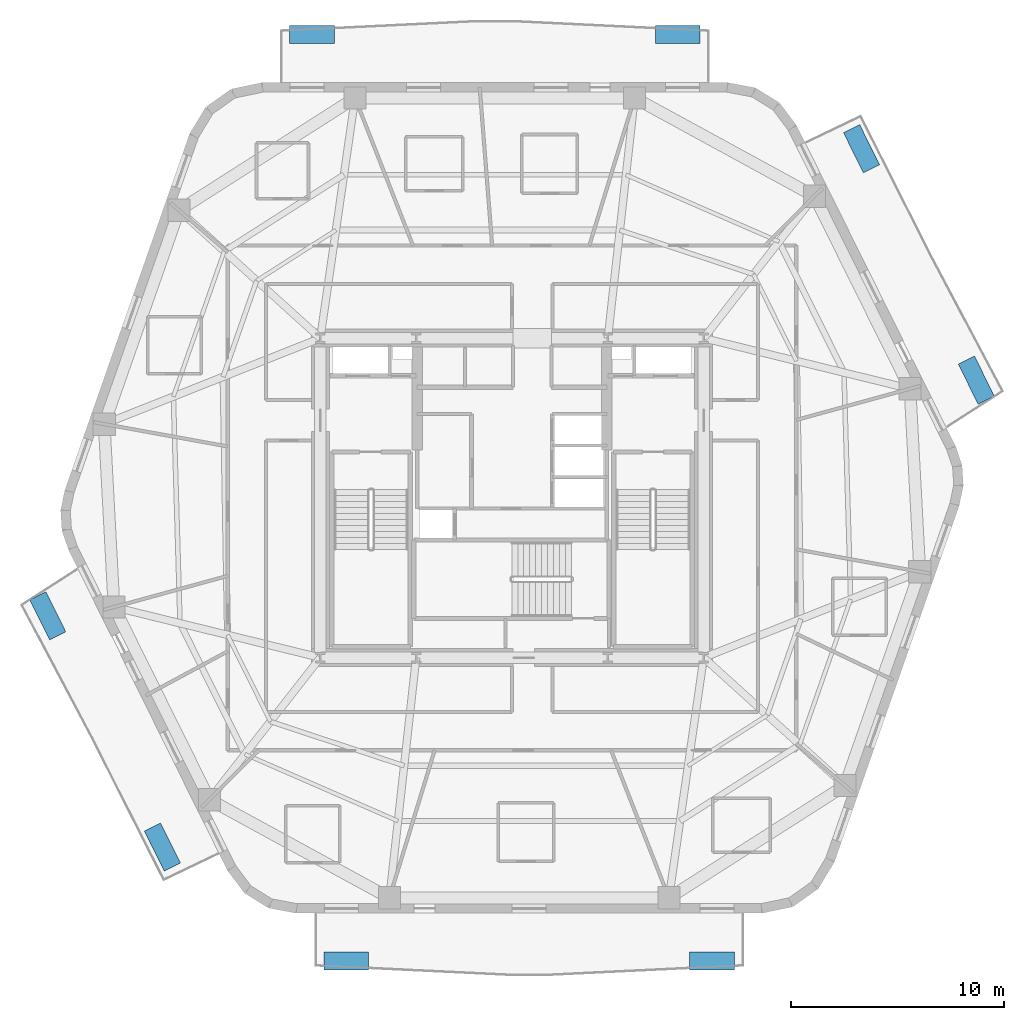
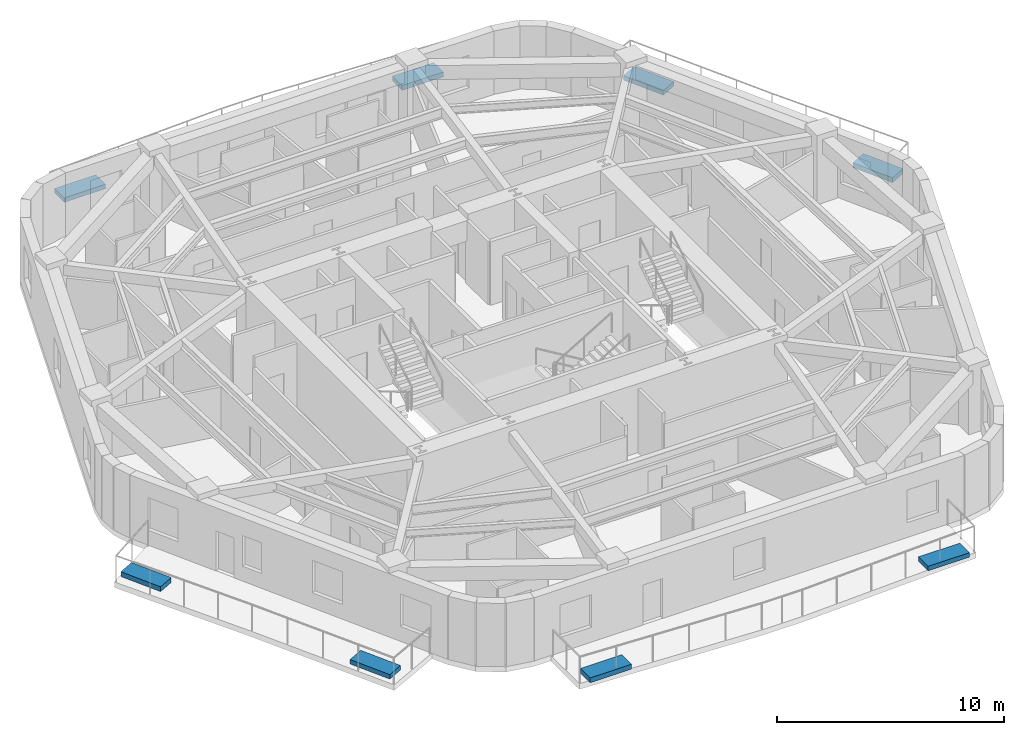
# One storey, part 7 of 10: 8 discrete accessories.
"""IFC4 building model written with IfcOpenShell, lengths in metres."""

from ifc_helpers import new_model, si_unit, direction, frame, origin, origin_2d, place, context, subcontext, project, spatial, rectangle, extrude, material, type_object, element, save


model = new_model("IFC4")

# Units and contexts
model_context = context("Model", 3, precision=1e-05, world=origin(), true_north=direction((0.0, 1.0)))
body_context = subcontext(model_context, "Body", "Model", "MODEL_VIEW")
ifc_project = project(units=[si_unit("LENGTHUNIT", "METRE"), si_unit("AREAUNIT", "SQUARE_METRE"), si_unit("VOLUMEUNIT", "CUBIC_METRE"), si_unit("PLANEANGLEUNIT", "RADIAN"), si_unit("MASSUNIT", "GRAM", prefix="KILO")], contexts=[model_context])

# Site, building, storey
site_placement = place(None, origin())
site = spatial("IfcSite", under=ifc_project, at=site_placement, CompositionType="ELEMENT")
building_placement = place(site_placement, origin())
building = spatial("IfcBuilding", under=site, at=building_placement, Name="Kilnhurst Terrace Hotel", CompositionType="ELEMENT")
storey_placement = place(building_placement, frame((0.0, 0.0, 148.0)))
storey = spatial("IfcBuildingStorey", under=building, at=storey_placement, Name="L36", CompositionType="ELEMENT", Elevation=148.0)

# Discrete accessories
ifc_material_1 = material(Name="Precast Concrete C40/50 Shrub Planter", Category="concrete")
discrete_accessory_type_1 = type_object("IfcDiscreteAccessoryType", Name="PLN-SHRUB-240", PredefinedType="USERDEFINED", material=ifc_material_1)
for number, where, z_axis, x_axis, name in (
    (1, (16.414306640625, 16.393310546875, 0.0), (0.0, 0.0, 1.0), (-0.444244308887, 0.895905683664, 0.0), "L36 Structural Tree Planter Box PLANTER BAL-L1A.2"),
    (2, (-9.3935546875, 21.75, 0.0), (0.0, 0.0, 1.0), (-1.0, 0.0, 0.0), "L36 Structural Tree Planter Box PLANTER BAL-L1B.2"),
    (3, (-16.414306640625, -16.393310546875, 0.0), (0.0, 0.0, 1.0), (0.444244308887, -0.895905683664, 0.0), "L36 Structural Tree Planter Box PLANTER BAL-L2A.2"),
    (4, (9.3935546875, -21.75, 0.0), (0.0, 0.0, 1.0), (1.0, 0.0, 0.0), "L36 Structural Tree Planter Box PLANTER BAL-L2B.2"),
):
    element("IfcDiscreteAccessory", number, at=place(storey_placement, frame(where, z_axis=z_axis, x_axis=x_axis)), inside=storey, type_object=discrete_accessory_type_1, Name=name, ObjectType="PLANTER", PredefinedType="USERDEFINED", context=body_context, shape_type="SweptSolid", body=[
        extrude(rectangle(XDim=2.10009765625, YDim=0.85009765625, at=origin_2d()), origin(), (0.0, 0.0, 1.0), 0.239990234375),
    ])
ifc_material_2 = material(Name="Precast Concrete C40/50 Tree Planter", Category="concrete")
discrete_accessory_type_2 = type_object("IfcDiscreteAccessoryType", Name="PLN-TREE-260", PredefinedType="USERDEFINED", material=ifc_material_2)
for number, where, z_axis, x_axis, name in (
    (5, (21.79833984375, 5.535400390625, 0.0), (0.0, 0.0, 1.0), (-0.444244308887, 0.895905683664, 0.0), "L36 Structural Tree Planter Box PLANTER BAL-L1A.1"),
    (6, (7.779296875, 21.75, 0.0), (0.0, 0.0, 1.0), (-1.0, 0.0, 0.0), "L36 Structural Tree Planter Box PLANTER BAL-L1B.1"),
    (7, (-21.79833984375, -5.535400390625, 0.0), (0.0, 0.0, 1.0), (0.444244308887, -0.895905683664, 0.0), "L36 Structural Tree Planter Box PLANTER BAL-L2A.1"),
    (8, (-7.779296875, -21.75, 0.0), (0.0, 0.0, 1.0), (1.0, 0.0, 0.0), "L36 Structural Tree Planter Box PLANTER BAL-L2B.1"),
):
    element("IfcDiscreteAccessory", number, at=place(storey_placement, frame(where, z_axis=z_axis, x_axis=x_axis)), inside=storey, type_object=discrete_accessory_type_2, Name=name, ObjectType="PLANTER", PredefinedType="USERDEFINED", context=body_context, shape_type="SweptSolid", body=[
        extrude(rectangle(XDim=2.10009765625, YDim=0.85009765625, at=origin_2d()), origin(), (0.0, 0.0, 1.0), 0.260009765625),
    ])

save(model, "model.ifc")
